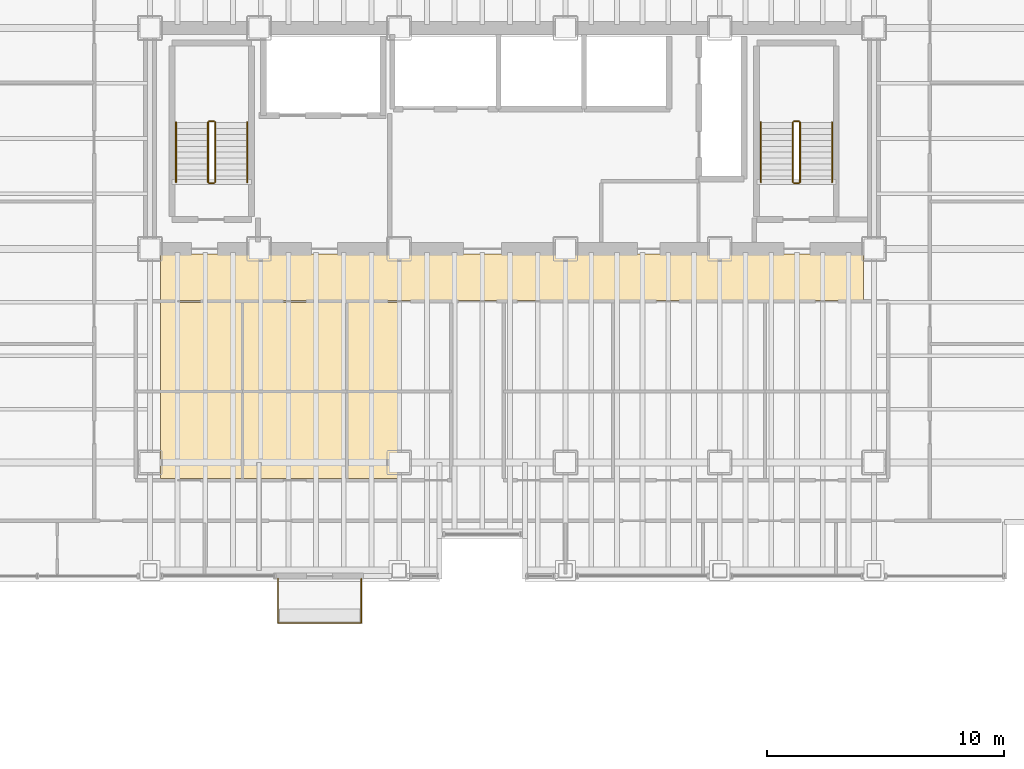
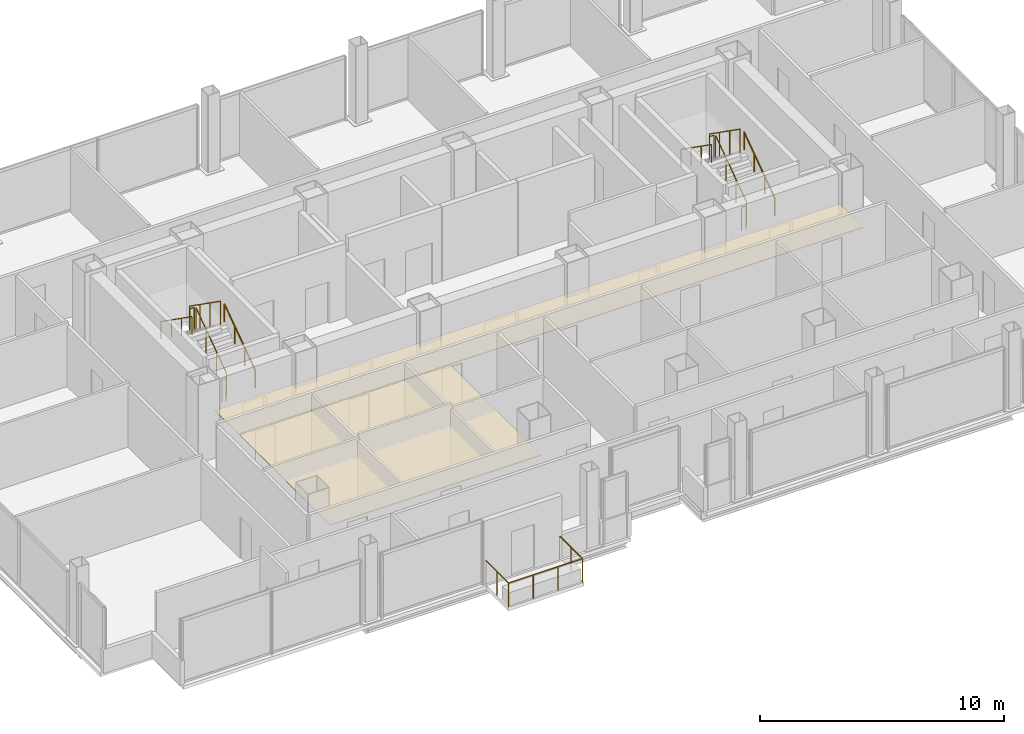
# One storey, part 29 of 30: 13 railings, 2 coverings.
"""IFC4 building model written with IfcOpenShell, lengths in metres."""

from ifc_helpers import new_model, si_unit, direction, frame, origin, origin_2d, place, context, subcontext, project, spatial, polyline, circle, outline, extrude, material, layer, layer_set, type_object, element, save


model = new_model("IFC4")

# Units and contexts
model_context = context("Model", 3, precision=1e-05, world=origin(), true_north=direction((0.0, 1.0)))
body_context = subcontext(model_context, "Body", "Model", "MODEL_VIEW")
ifc_project = project(units=[si_unit("LENGTHUNIT", "METRE"), si_unit("AREAUNIT", "SQUARE_METRE"), si_unit("VOLUMEUNIT", "CUBIC_METRE"), si_unit("PLANEANGLEUNIT", "RADIAN"), si_unit("MASSUNIT", "GRAM", prefix="KILO")], contexts=[model_context])

# Site, building, storey
site_placement = place(None, origin())
site = spatial("IfcSite", under=ifc_project, at=site_placement, CompositionType="ELEMENT")
building_placement = place(site_placement, origin())
building = spatial("IfcBuilding", under=site, at=building_placement, Name="Noeulbin Bourse Tower", CompositionType="ELEMENT")
storey_placement = place(building_placement, frame((0.0, 0.0, 26.5)))
storey = spatial("IfcBuildingStorey", under=building, at=storey_placement, Name="L06", CompositionType="ELEMENT", Elevation=26.5)

# Coverings
ifc_material_1 = material(Name="Perforated Mineral-Fibre Acoustic Tile")
ifc_layer_1 = layer(ifc_material_1, 0.0400390625)
ifc_layer_set_1 = layer_set([ifc_layer_1], Name="Perforated Mineral-Fibre Acoustic Tile")
covering_type = type_object("IfcCoveringType", Name="COV-CEIL-ACT", PredefinedType="CEILING", material=ifc_layer_set_1)
covering_1_placement = place(storey_placement, frame((0.0, 0.0, 2.110107421875)))
element("IfcCovering", 1, at=covering_1_placement, inside=storey, type_object=covering_type, Name="Corridor Suspended Ceiling L06", PredefinedType="CEILING", context=body_context, shape_type="SweptSolid", body=[
    extrude(outline(polyline([(13.949951171875, 26.820068359375), (43.550048828125, 26.820068359375), (43.550048828125, 28.780029296875), (13.949951171875, 28.780029296875), (13.949951171875, 26.820068359375)])), origin(), (0.0, 0.0, 1.0), 0.039794921875),
])
covering_2_placement = place(storey_placement, frame((0.0, 0.0, 2.110107421875)))
element("IfcCovering", 2, at=covering_2_placement, inside=storey, type_object=covering_type, Name="Trading Suite Acoustic Ceiling L06", PredefinedType="CEILING", context=body_context, shape_type="SweptSolid", body=[
    extrude(outline(polyline([(13.949951171875, 19.320068359375), (23.949951171875, 19.320068359375), (23.949951171875, 26.75), (13.949951171875, 26.75), (13.949951171875, 19.320068359375)])), origin(), (0.0, 0.0, 1.0), 0.039794921875),
])

# Railings
ifc_material_2 = material(Name="Laminated SentryGlas and Stainless Steel 316", Category="steel")
ifc_layer_2 = layer(ifc_material_2, 0.06005859375)
ifc_layer_set_2 = layer_set([ifc_layer_2], Name="Laminated SentryGlas and Stainless Steel 316")
railing_type_1 = type_object("IfcRailingType", Name="RLG-BAL-1200", PredefinedType="BALUSTRADE", material=ifc_layer_set_2)
railing_1_placement = place(storey_placement, frame((18.89990234375, 15.1201171875, 0.0)))
element("IfcRailing", 3, at=railing_1_placement, inside=storey, type_object=railing_type_1, Name="Tree-Balcony Glazed Balustrade L06", PredefinedType="BALUSTRADE", context=body_context, shape_type="SweptSolid", body=[
    extrude(circle(Radius=0.02392578125, at=origin_2d()), frame((0.0, 0.0, 1.17578125), z_axis=(0.0, -1.0, 0.0), x_axis=(1.0, 0.0, 0.0)), (0.0, 0.0, 1.0), 1.8701171875),
    extrude(circle(Radius=0.02392578125, at=origin_2d()), frame((0.0, -1.8701171875, 1.17578125), z_axis=(1.0, 0.0, 0.0), x_axis=(0.0, 1.0, 0.0)), (0.0, 0.0, 1.0), 3.5),
    extrude(circle(Radius=0.02392578125, at=origin_2d()), frame((3.5, -1.8701171875, 1.17578125), z_axis=(0.0, 1.0, 0.0), x_axis=(-1.0, 0.0, 0.0)), (0.0, 0.0, 1.0), 1.8701171875),
    extrude(circle(Radius=0.02099609375, at=origin_2d()), origin(), (0.0, 0.0, 1.0), 1.15185546875),
    extrude(circle(Radius=0.02099609375, at=origin_2d()), frame((0.0, -0.93505859375, 0.0)), (0.0, 0.0, 1.0), 1.15185546875),
    extrude(circle(Radius=0.02099609375, at=origin_2d()), frame((0.0, -1.8701171875, 0.0)), (0.0, 0.0, 1.0), 1.15185546875),
    extrude(circle(Radius=0.02099609375, at=origin_2d()), frame((1.166748046875, -1.8701171875, 0.0)), (0.0, 0.0, 1.0), 1.15185546875),
    extrude(circle(Radius=0.02099609375, at=origin_2d()), frame((2.333251953125, -1.8701171875, 0.0)), (0.0, 0.0, 1.0), 1.15185546875),
    extrude(circle(Radius=0.02099609375, at=origin_2d()), frame((3.5, -1.8701171875, 0.0)), (0.0, 0.0, 1.0), 1.15185546875),
    extrude(circle(Radius=0.02099609375, at=origin_2d()), frame((3.5, -0.93505859375, 0.0)), (0.0, 0.0, 1.0), 1.15185546875),
    extrude(circle(Radius=0.02099609375, at=origin_2d()), frame((3.5, 0.0, 0.0)), (0.0, 0.0, 1.0), 1.15185546875),
])
ifc_material_3 = material(Name="Painted Tubular Steel S355", Category="steel")
ifc_layer_3 = layer(ifc_material_3, 0.048095703125)
ifc_layer_set_3 = layer_set([ifc_layer_3], Name="Painted Tubular Steel S355")
railing_type_2 = type_object("IfcRailingType", Name="RLG-STR-GRD", PredefinedType="GUARDRAIL", material=ifc_layer_set_3)
railing_2_placement = place(storey_placement, frame((16.25, 31.81005859375, 0.17724609375)))
element("IfcRailing", 4, at=railing_2_placement, inside=storey, type_object=railing_type_2, Name="L06 ST-1 stair guard 1", PredefinedType="GUARDRAIL", context=body_context, shape_type="SweptSolid", body=[
    extrude(circle(Radius=0.02392578125, at=origin_2d()), frame((0.0, 0.0, 1.17578125), z_axis=(0.0, 0.817904474719, 0.575354039036), x_axis=(-1.0, 0.0, 0.0)), (0.0, 0.0, 1.0), 3.0810546875),
    extrude(circle(Radius=0.02099609375, at=origin_2d()), origin(), (0.0, 0.0, 1.0), 1.15185546875),
    extrude(circle(Radius=0.02099609375, at=origin_2d()), frame((0.0, 0.840087890625, 0.5908203125)), (0.0, 0.0, 1.0), 1.15185546875),
    extrude(circle(Radius=0.02099609375, at=origin_2d()), frame((0.0, 1.679931640625, 1.181884765625)), (0.0, 0.0, 1.0), 1.15185546875),
    extrude(circle(Radius=0.02099609375, at=origin_2d()), frame((0.0, 2.52001953125, 1.772705078125)), (0.0, 0.0, 1.0), 1.15185546875),
])
railing_3_placement = place(storey_placement, frame((16.199951171875, 34.3798828125, 1.949951171875)))
element("IfcRailing", 5, at=railing_3_placement, inside=storey, type_object=railing_type_2, Name="L06 ST-1 stair guard 2", PredefinedType="GUARDRAIL", context=body_context, shape_type="SweptSolid", body=[
    extrude(circle(Radius=0.02392578125, at=origin_2d()), frame((0.0, 0.0, 1.17578125), z_axis=(-1.0, 0.0, 0.0), x_axis=(0.0, -1.0, 0.0)), (0.0, 0.0, 1.0), 0.199951171875),
    extrude(circle(Radius=0.02099609375, at=origin_2d()), origin(), (0.0, 0.0, 1.0), 1.15185546875),
    extrude(circle(Radius=0.02099609375, at=origin_2d()), frame((-0.199951171875, 0.0, 0.0)), (0.0, 0.0, 1.0), 1.15185546875),
])
railing_4_placement = place(storey_placement, frame((15.949951171875, 34.330078125, 2.127197265625)))
element("IfcRailing", 6, at=railing_4_placement, inside=storey, type_object=railing_type_2, Name="L06 ST-1 stair guard 3", PredefinedType="GUARDRAIL", context=body_context, shape_type="SweptSolid", body=[
    extrude(circle(Radius=0.02392578125, at=origin_2d()), frame((0.0, 0.0, 1.17578125), z_axis=(0.0, -0.817904474719, 0.575354039036), x_axis=(1.0, 0.0, 0.0)), (0.0, 0.0, 1.0), 3.0810546875),
    extrude(circle(Radius=0.02099609375, at=origin_2d()), origin(), (0.0, 0.0, 1.0), 1.15185546875),
    extrude(circle(Radius=0.02099609375, at=origin_2d()), frame((0.0, -0.840087890625, 0.5908203125)), (0.0, 0.0, 1.0), 1.15185546875),
    extrude(circle(Radius=0.02099609375, at=origin_2d()), frame((0.0, -1.679931640625, 1.181884765625)), (0.0, 0.0, 1.0), 1.15185546875),
    extrude(circle(Radius=0.02099609375, at=origin_2d()), frame((0.0, -2.52001953125, 1.772705078125)), (0.0, 0.0, 1.0), 1.15185546875),
])
railing_5_placement = place(storey_placement, frame((16.199951171875, 31.760009765625, 0.0)))
element("IfcRailing", 7, at=railing_5_placement, inside=storey, type_object=railing_type_2, Name="L06 ST-1 stair guard 4", PredefinedType="GUARDRAIL", context=body_context, shape_type="SweptSolid", body=[
    extrude(circle(Radius=0.02392578125, at=origin_2d()), frame((0.0, 0.0, 1.17578125), z_axis=(-1.0, 0.0, 0.0), x_axis=(0.0, -1.0, 0.0)), (0.0, 0.0, 1.0), 0.199951171875),
    extrude(circle(Radius=0.02099609375, at=origin_2d()), origin(), (0.0, 0.0, 1.0), 1.15185546875),
    extrude(circle(Radius=0.02099609375, at=origin_2d()), frame((-0.199951171875, 0.0, 0.0)), (0.0, 0.0, 1.0), 1.15185546875),
])
railing_6_placement = place(storey_placement, frame((40.8798828125, 31.81005859375, 0.17724609375)))
element("IfcRailing", 8, at=railing_6_placement, inside=storey, type_object=railing_type_2, Name="L06 ST-2 stair guard 1", PredefinedType="GUARDRAIL", context=body_context, shape_type="SweptSolid", body=[
    extrude(circle(Radius=0.02392578125, at=origin_2d()), frame((0.0, 0.0, 1.17578125), z_axis=(0.0, 0.817904474719, 0.575354039036), x_axis=(-1.0, 0.0, 0.0)), (0.0, 0.0, 1.0), 3.0810546875),
    extrude(circle(Radius=0.02099609375, at=origin_2d()), origin(), (0.0, 0.0, 1.0), 1.15185546875),
    extrude(circle(Radius=0.02099609375, at=origin_2d()), frame((0.0, 0.840087890625, 0.5908203125)), (0.0, 0.0, 1.0), 1.15185546875),
    extrude(circle(Radius=0.02099609375, at=origin_2d()), frame((0.0, 1.679931640625, 1.181884765625)), (0.0, 0.0, 1.0), 1.15185546875),
    extrude(circle(Radius=0.02099609375, at=origin_2d()), frame((0.0, 2.52001953125, 1.772705078125)), (0.0, 0.0, 1.0), 1.15185546875),
])
railing_7_placement = place(storey_placement, frame((40.830078125, 34.3798828125, 1.949951171875)))
element("IfcRailing", 9, at=railing_7_placement, inside=storey, type_object=railing_type_2, Name="L06 ST-2 stair guard 2", PredefinedType="GUARDRAIL", context=body_context, shape_type="SweptSolid", body=[
    extrude(circle(Radius=0.02392578125, at=origin_2d()), frame((0.0, 0.0, 1.17578125), z_axis=(-1.0, 0.0, 0.0), x_axis=(0.0, -1.0, 0.0)), (0.0, 0.0, 1.0), 0.2001953125),
    extrude(circle(Radius=0.02099609375, at=origin_2d()), origin(), (0.0, 0.0, 1.0), 1.15185546875),
    extrude(circle(Radius=0.02099609375, at=origin_2d()), frame((-0.2001953125, 0.0, 0.0)), (0.0, 0.0, 1.0), 1.15185546875),
])
railing_8_placement = place(storey_placement, frame((40.580078125, 34.330078125, 2.127197265625)))
element("IfcRailing", 10, at=railing_8_placement, inside=storey, type_object=railing_type_2, Name="L06 ST-2 stair guard 3", PredefinedType="GUARDRAIL", context=body_context, shape_type="SweptSolid", body=[
    extrude(circle(Radius=0.02392578125, at=origin_2d()), frame((0.0, 0.0, 1.17578125), z_axis=(0.0, -0.817904474719, 0.575354039036), x_axis=(1.0, 0.0, 0.0)), (0.0, 0.0, 1.0), 3.0810546875),
    extrude(circle(Radius=0.02099609375, at=origin_2d()), origin(), (0.0, 0.0, 1.0), 1.15185546875),
    extrude(circle(Radius=0.02099609375, at=origin_2d()), frame((0.0, -0.840087890625, 0.5908203125)), (0.0, 0.0, 1.0), 1.15185546875),
    extrude(circle(Radius=0.02099609375, at=origin_2d()), frame((0.0, -1.679931640625, 1.181884765625)), (0.0, 0.0, 1.0), 1.15185546875),
    extrude(circle(Radius=0.02099609375, at=origin_2d()), frame((0.0, -2.52001953125, 1.772705078125)), (0.0, 0.0, 1.0), 1.15185546875),
])
railing_9_placement = place(storey_placement, frame((40.830078125, 31.760009765625, 0.0)))
element("IfcRailing", 11, at=railing_9_placement, inside=storey, type_object=railing_type_2, Name="L06 ST-2 stair guard 4", PredefinedType="GUARDRAIL", context=body_context, shape_type="SweptSolid", body=[
    extrude(circle(Radius=0.02392578125, at=origin_2d()), frame((0.0, 0.0, 1.17578125), z_axis=(-1.0, 0.0, 0.0), x_axis=(0.0, -1.0, 0.0)), (0.0, 0.0, 1.0), 0.2001953125),
    extrude(circle(Radius=0.02099609375, at=origin_2d()), origin(), (0.0, 0.0, 1.0), 1.15185546875),
    extrude(circle(Radius=0.02099609375, at=origin_2d()), frame((-0.2001953125, 0.0, 0.0)), (0.0, 0.0, 1.0), 1.15185546875),
])
ifc_material_4 = material(Name="Brushed Stainless Steel 316", Category="steel")
ifc_layer_4 = layer(ifc_material_4, 0.048095703125)
ifc_layer_set_4 = layer_set([ifc_layer_4], Name="Brushed Stainless Steel 316")
railing_type_3 = type_object("IfcRailingType", Name="RLG-STR-HND", PredefinedType="HANDRAIL", material=ifc_layer_set_4)
railing_10_placement = place(storey_placement, frame((17.60009765625, 31.81005859375, 0.17724609375)))
element("IfcRailing", 12, at=railing_10_placement, inside=storey, type_object=railing_type_3, Name="L06 ST-1 stair handrail 1", PredefinedType="HANDRAIL", context=body_context, shape_type="SweptSolid", body=[
    extrude(circle(Radius=0.02392578125, at=origin_2d()), frame((0.0, 0.0, 0.8759765625), z_axis=(0.0, 0.817904474719, 0.575354039036), x_axis=(-1.0, 0.0, 0.0)), (0.0, 0.0, 1.0), 3.0810546875),
    extrude(circle(Radius=0.02099609375, at=origin_2d()), origin(), (0.0, 0.0, 1.0), 0.851806640625),
    extrude(circle(Radius=0.02099609375, at=origin_2d()), frame((0.0, 0.840087890625, 0.5908203125)), (0.0, 0.0, 1.0), 0.851806640625),
    extrude(circle(Radius=0.02099609375, at=origin_2d()), frame((0.0, 1.679931640625, 1.181884765625)), (0.0, 0.0, 1.0), 0.851806640625),
    extrude(circle(Radius=0.02099609375, at=origin_2d()), frame((0.0, 2.52001953125, 1.772705078125)), (0.0, 0.0, 1.0), 0.851806640625),
])
railing_11_placement = place(storey_placement, frame((14.60009765625, 34.330078125, 2.127197265625)))
element("IfcRailing", 13, at=railing_11_placement, inside=storey, type_object=railing_type_3, Name="L06 ST-1 stair handrail 2", PredefinedType="HANDRAIL", context=body_context, shape_type="SweptSolid", body=[
    extrude(circle(Radius=0.02392578125, at=origin_2d()), frame((0.0, 0.0, 0.8759765625), z_axis=(0.0, -0.817904474719, 0.575354039036), x_axis=(1.0, 0.0, 0.0)), (0.0, 0.0, 1.0), 3.0810546875),
    extrude(circle(Radius=0.02099609375, at=origin_2d()), origin(), (0.0, 0.0, 1.0), 0.851806640625),
    extrude(circle(Radius=0.02099609375, at=origin_2d()), frame((0.0, -0.840087890625, 0.5908203125)), (0.0, 0.0, 1.0), 0.851806640625),
    extrude(circle(Radius=0.02099609375, at=origin_2d()), frame((0.0, -1.679931640625, 1.181884765625)), (0.0, 0.0, 1.0), 0.851806640625),
    extrude(circle(Radius=0.02099609375, at=origin_2d()), frame((0.0, -2.52001953125, 1.772705078125)), (0.0, 0.0, 1.0), 0.851806640625),
])
railing_12_placement = place(storey_placement, frame((42.22998046875, 31.81005859375, 0.17724609375)))
element("IfcRailing", 14, at=railing_12_placement, inside=storey, type_object=railing_type_3, Name="L06 ST-2 stair handrail 1", PredefinedType="HANDRAIL", context=body_context, shape_type="SweptSolid", body=[
    extrude(circle(Radius=0.02392578125, at=origin_2d()), frame((0.0, 0.0, 0.8759765625), z_axis=(0.0, 0.817904474719, 0.575354039036), x_axis=(-1.0, 0.0, 0.0)), (0.0, 0.0, 1.0), 3.0810546875),
    extrude(circle(Radius=0.02099609375, at=origin_2d()), origin(), (0.0, 0.0, 1.0), 0.851806640625),
    extrude(circle(Radius=0.02099609375, at=origin_2d()), frame((0.0, 0.840087890625, 0.5908203125)), (0.0, 0.0, 1.0), 0.851806640625),
    extrude(circle(Radius=0.02099609375, at=origin_2d()), frame((0.0, 1.679931640625, 1.181884765625)), (0.0, 0.0, 1.0), 0.851806640625),
    extrude(circle(Radius=0.02099609375, at=origin_2d()), frame((0.0, 2.52001953125, 1.772705078125)), (0.0, 0.0, 1.0), 0.851806640625),
])
railing_13_placement = place(storey_placement, frame((39.22998046875, 34.330078125, 2.127197265625)))
element("IfcRailing", 15, at=railing_13_placement, inside=storey, type_object=railing_type_3, Name="L06 ST-2 stair handrail 2", PredefinedType="HANDRAIL", context=body_context, shape_type="SweptSolid", body=[
    extrude(circle(Radius=0.02392578125, at=origin_2d()), frame((0.0, 0.0, 0.8759765625), z_axis=(0.0, -0.817904474719, 0.575354039036), x_axis=(1.0, 0.0, 0.0)), (0.0, 0.0, 1.0), 3.0810546875),
    extrude(circle(Radius=0.02099609375, at=origin_2d()), origin(), (0.0, 0.0, 1.0), 0.851806640625),
    extrude(circle(Radius=0.02099609375, at=origin_2d()), frame((0.0, -0.840087890625, 0.5908203125)), (0.0, 0.0, 1.0), 0.851806640625),
    extrude(circle(Radius=0.02099609375, at=origin_2d()), frame((0.0, -1.679931640625, 1.181884765625)), (0.0, 0.0, 1.0), 0.851806640625),
    extrude(circle(Radius=0.02099609375, at=origin_2d()), frame((0.0, -2.52001953125, 1.772705078125)), (0.0, 0.0, 1.0), 0.851806640625),
])

save(model, "model.ifc")
